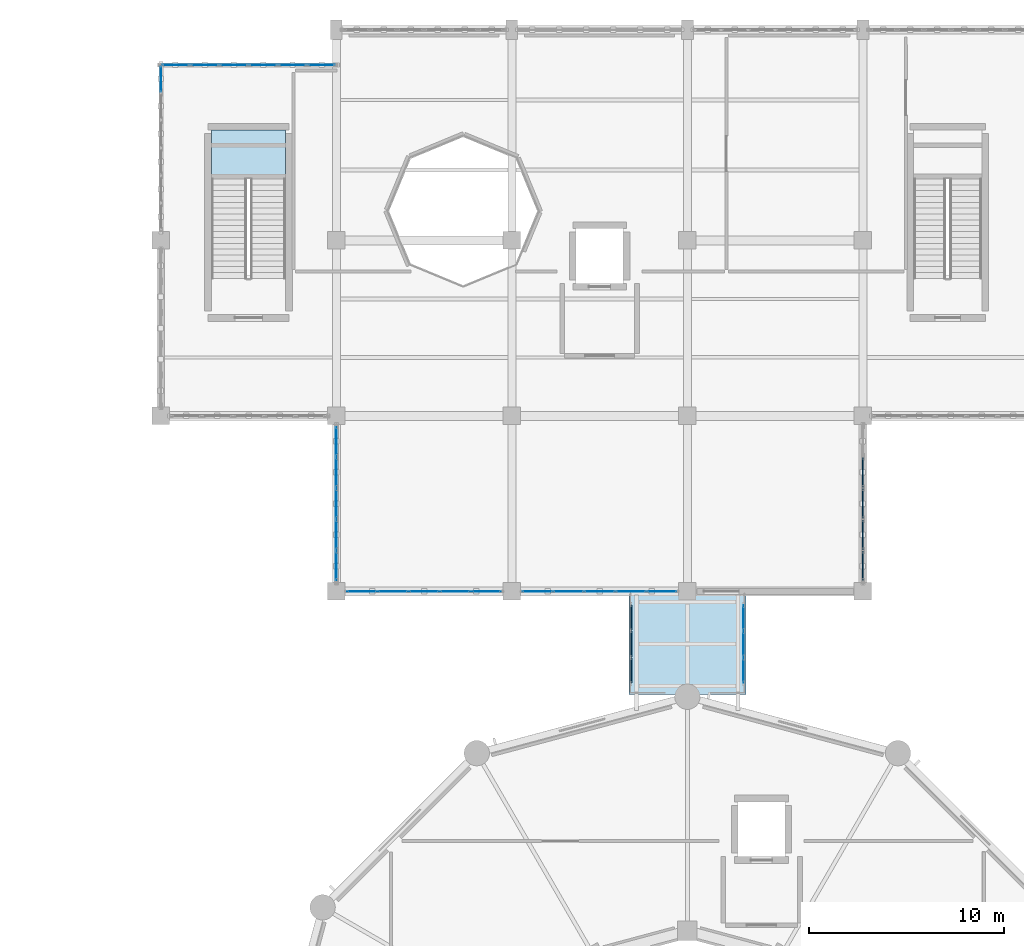
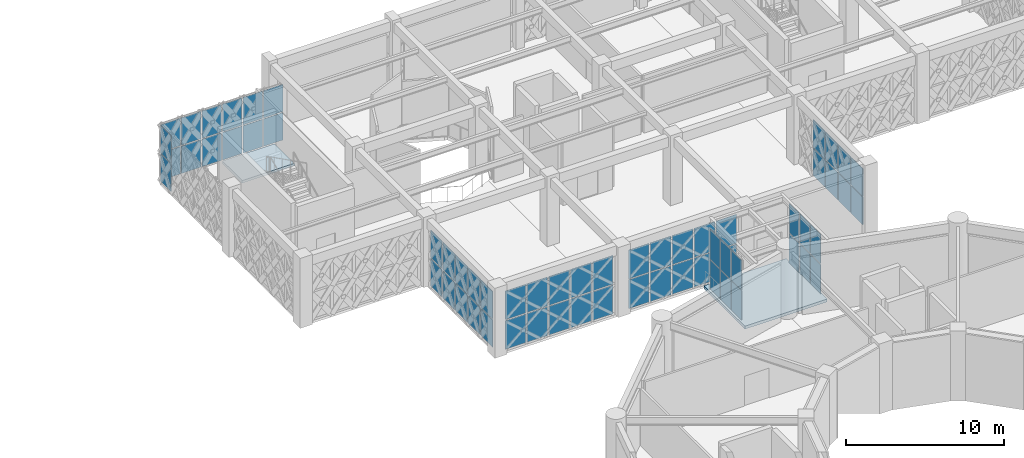
# One storey, part 124 of 155: 64 plates, 2 slabs, 9 elements without a shape of their own.
"""IFC4 building model written with IfcOpenShell, lengths in metres."""

import ifcopenshell
import ifcopenshell.guid

model = None  # the IFC model being written
_history = None  # IfcOwnerHistory: only IFC2X3 demands one
_inside = {}  # id of a spatial element -> (the spatial element, [elements in it])
_under = {}  # id of a project, library or spatial element -> (it, [spatial elements below it])
_declared = {}  # id of a project -> (the project, [libraries it declares])
_typed = {}  # id of a type object -> (the type object, [elements of that type])
_made_of = {}  # id of a material, layer set ... -> (it, [elements and type objects made of it])


def new_model(schema):
    """Start an empty IFC model of exactly this schema.

    Asked for "IFC4X3", IfcOpenShell would pick the latest addendum, in which some entities
    have other attributes; the version numbers below select the first issue.
    IFC2X3 requires an IfcOwnerHistory on every rooted entity: one is made here for all.
    """
    global model, _history
    if schema == "IFC4X3":
        model = ifcopenshell.file(schema_version=(4, 3, 0, 0))
    else:
        model = ifcopenshell.file(schema=schema)
    _inside.clear()
    _under.clear()
    _declared.clear()
    _typed.clear()
    _made_of.clear()
    _history = None
    if model.schema == "IFC2X3":
        org = make("IfcOrganization", Name="unknown")
        user = make(
            "IfcPersonAndOrganization",
            ThePerson=make("IfcPerson", FamilyName="unknown"),
            TheOrganization=org,
        )
        app = make(
            "IfcApplication",
            ApplicationDeveloper=org,
            Version="unknown",
            ApplicationFullName="unknown",
            ApplicationIdentifier="unknown",
        )
        _history = make(
            "IfcOwnerHistory",
            OwningUser=user,
            OwningApplication=app,
            ChangeAction="ADDED",
            CreationDate=0,
        )
    return model


def make(cls, **values):
    """One entity of the class cls with the attributes given. An attribute that is None is left unset."""
    return model.create_entity(
        cls, **{name: value for name, value in values.items() if value is not None}
    )


def rooted(cls, **values):
    """An entity with a GlobalId (a new one), such as an element, a storey or a relation."""
    return make(cls, GlobalId=ifcopenshell.guid.new(), OwnerHistory=_history, **values)


def si_unit(unit_type, name, prefix=None):
    """IfcSIUnit, for example si_unit("LENGTHUNIT", "METRE", prefix="MILLI")."""
    return make("IfcSIUnit", UnitType=unit_type, Prefix=prefix, Name=name)


def assignment(units):
    """IfcUnitAssignment: the units of a project."""
    return None if units is None else make("IfcUnitAssignment", Units=units)


def point(xyz):
    """IfcCartesianPoint."""
    return None if xyz is None else make("IfcCartesianPoint", Coordinates=xyz)


def direction(xyz):
    """IfcDirection."""
    return None if xyz is None else make("IfcDirection", DirectionRatios=xyz)


def frame(location, z_axis=None, x_axis=None):
    """IfcAxis2Placement3D, a coordinate frame: its origin and axes. An axis left out is left unset."""
    return make(
        "IfcAxis2Placement3D",
        Location=point(location),
        Axis=direction(z_axis),
        RefDirection=direction(x_axis),
    )


def frame_2d(location, x_axis=None):
    """IfcAxis2Placement2D, a coordinate frame in the plane: its origin and x axis."""
    return make(
        "IfcAxis2Placement2D", Location=point(location), RefDirection=direction(x_axis)
    )


def origin():
    """The frame at (0, 0, 0) with its axes left unset."""
    return frame((0.0, 0.0, 0.0))


def origin_2d():
    """The frame at (0, 0) in the plane with its x axis left unset."""
    return frame_2d((0.0, 0.0))


def place(relative_to, where):
    """IfcLocalPlacement: puts the frame where relative to a parent placement (None: the world)."""
    return make(
        "IfcLocalPlacement", PlacementRelTo=relative_to, RelativePlacement=where
    )


def context(
    kind, dimensions, precision=None, world=None, true_north=None, identifier=None
):
    """IfcGeometricRepresentationContext, for example the 3D "Model" context."""
    return make(
        "IfcGeometricRepresentationContext",
        ContextIdentifier=identifier,
        ContextType=kind,
        CoordinateSpaceDimension=dimensions,
        Precision=precision,
        WorldCoordinateSystem=world,
        TrueNorth=true_north,
    )


def subcontext(parent, identifier, kind, view, scale=None):
    """IfcGeometricRepresentationSubContext, for example "Body" below "Model"."""
    return make(
        "IfcGeometricRepresentationSubContext",
        ContextIdentifier=identifier,
        ContextType=kind,
        ParentContext=parent,
        TargetScale=scale,
        TargetView=view,
    )


def project(units=None, contexts=None):
    """IfcProject with its units and contexts."""
    return rooted(
        "IfcProject",
        Name="project",
        RepresentationContexts=contexts,
        UnitsInContext=assignment(units),
    )


def spatial(cls, under=None, at=None, **own):
    """A site, building, storey or space (cls), placed at a placement, below another one or the project."""
    s = rooted(cls, ObjectPlacement=at, **own)
    if under is not None:
        _under.setdefault(under.id(), (under, []))[1].append(s)
    return s


def polyline(points):
    """IfcPolyline through the points."""
    return make("IfcPolyline", Points=[point(p) for p in points])


def profile(cls, at=None, kind="AREA", **sizes):
    """A parametric profile (cls). Its sizes go by their IFC names, for example OverallWidth=200.0."""
    return make(cls, ProfileType=kind, Position=at, **sizes)


def rectangle(**sizes):
    """IfcRectangleProfileDef."""
    return profile("IfcRectangleProfileDef", **sizes)


def outline(outer, holes=None, kind="AREA"):
    """IfcArbitraryClosedProfileDef: a profile drawn as a closed curve; with holes, ...WithVoids."""
    if holes is None:
        return make("IfcArbitraryClosedProfileDef", ProfileType=kind, OuterCurve=outer)
    return make(
        "IfcArbitraryProfileDefWithVoids",
        ProfileType=kind,
        OuterCurve=outer,
        InnerCurves=holes,
    )


def extrude(swept, where, along, depth):
    """IfcExtrudedAreaSolid: the profile swept, set in the frame where, extruded along a direction by depth."""
    return make(
        "IfcExtrudedAreaSolid",
        SweptArea=swept,
        Position=where,
        ExtrudedDirection=direction(along),
        Depth=depth,
    )


def shape(context_of_items, identifier, shape_type, items):
    """IfcShapeRepresentation: the items that make up one representation, for example the "Body"."""
    return make(
        "IfcShapeRepresentation",
        ContextOfItems=context_of_items,
        RepresentationIdentifier=identifier,
        RepresentationType=shape_type,
        Items=items,
    )


def material(Name=None, Category=None):
    """IfcMaterial."""
    return make("IfcMaterial", Name=Name, Category=Category)


def layer(
    of_material, thickness, ventilated=None, Name=None, Category=None, Priority=None
):
    """IfcMaterialLayer: one layer of a wall or slab, of a material (None: an air gap)."""
    return make(
        "IfcMaterialLayer",
        Material=of_material,
        LayerThickness=thickness,
        IsVentilated=ventilated,
        Name=Name,
        Category=Category,
        Priority=Priority,
    )


def layer_set(layers, Name=None):
    """IfcMaterialLayerSet."""
    return make("IfcMaterialLayerSet", MaterialLayers=layers, LayerSetName=Name)


def made_of(thing, what):
    """Note that an element or type object is made of a material, layer set ...; save() writes the relation."""
    if what is not None:
        _made_of.setdefault(what.id(), (what, []))[1].append(thing)
    return thing


def type_object(cls, material=None, **own):
    """A type object (cls), such as IfcWallType, which elements share."""
    return made_of(rooted(cls, **own), material)


def element(
    cls,
    number,
    at=None,
    inside=None,
    cuts=None,
    type_object=None,
    material=None,
    context=None,
    identifier="Body",
    shape_type=None,
    held_by="IfcProductDefinitionShape",
    body=None,
    shapes=None,
    **own,
):
    """One element of the class cls, such as IfcWall. Its Tag is "e" and its number.

    at: its placement. inside: the storey or other place that contains it. cuts: it is an
    opening in that element (IfcRelVoidsElement). A single representation is given by context,
    identifier, shape_type and body (its items); several are given by shapes. held_by: the class
    of the entity that holds the representations. save() writes the other relations.
    """
    e = rooted(cls, Tag="e%d" % number, ObjectPlacement=at, **own)
    if body is not None:
        shapes = [shape(context, identifier, shape_type, body)]
    if shapes is not None:
        e.Representation = make(held_by, Representations=shapes)
    if inside is not None:
        _inside.setdefault(inside.id(), (inside, []))[1].append(e)
    if cuts is not None:
        rooted(
            "IfcRelVoidsElement", RelatingBuildingElement=cuts, RelatedOpeningElement=e
        )
    if type_object is not None:
        _typed.setdefault(type_object.id(), (type_object, []))[1].append(e)
    return made_of(e, material)


def aggregate(whole, parts):
    """IfcRelAggregates: a whole, such as a stair, and the parts it consists of."""
    return rooted("IfcRelAggregates", RelatingObject=whole, RelatedObjects=parts)


def save(model, path):
    """Write the relations noted so far, then the file.

    IfcRelAggregates (storeys below a building ...), IfcRelContainedInSpatialStructure (elements
    in a storey), IfcRelDefinesByType, IfcRelAssociatesMaterial and IfcRelDeclares: one each for
    every whole, place, type object, material and project.
    """
    for whole, parts in _under.values():
        aggregate(whole, parts)
    for where, things in _inside.values():
        rooted(
            "IfcRelContainedInSpatialStructure",
            RelatedElements=things,
            RelatingStructure=where,
        )
    for kind, things in _typed.values():
        rooted("IfcRelDefinesByType", RelatedObjects=things, RelatingType=kind)
    for what, things in _made_of.values():
        rooted("IfcRelAssociatesMaterial", RelatedObjects=things, RelatingMaterial=what)
    for by, libraries in _declared.values():
        rooted("IfcRelDeclares", RelatingContext=by, RelatedDefinitions=libraries)
    model.write(path)


model = new_model("IFC4")

# Units and contexts
model_context = context("Model", 3, precision=1e-05, world=origin(), true_north=direction((0.0, 1.0)))
body_context = subcontext(model_context, "Body", "Model", "MODEL_VIEW")
ifc_project = project(units=[si_unit("LENGTHUNIT", "METRE"), si_unit("AREAUNIT", "SQUARE_METRE"), si_unit("VOLUMEUNIT", "CUBIC_METRE"), si_unit("PLANEANGLEUNIT", "RADIAN"), si_unit("MASSUNIT", "GRAM", prefix="KILO")], contexts=[model_context])

# Site, building, storey
site_placement = place(None, origin())
site = spatial("IfcSite", under=ifc_project, at=site_placement, CompositionType="ELEMENT")
building_placement = place(site_placement, origin())
building = spatial("IfcBuilding", under=site, at=building_placement, Name="Haizhuo Lancet Aquarium", CompositionType="ELEMENT")
storey_placement = place(building_placement, frame((0.0, 0.0, 10.800048828125)))
storey = spatial("IfcBuildingStorey", under=building, at=storey_placement, Name="L02", CompositionType="ELEMENT", Elevation=10.800048828125)

# Curtain wall, plates
ifc_material_1 = material(Name="Aluminium 6063-T6", Category="aluminium")
curtain_wall_type_1 = type_object("IfcCurtainWallType", Name="CWD-8510x4440", PredefinedType="NOTDEFINED", material=ifc_material_1)
curtain_wall_1_placement = place(storey_placement, origin())
curtain_wall_1 = element("IfcCurtainWall", 1, at=curtain_wall_1_placement, inside=storey, type_object=curtain_wall_type_1, Name="L02 curtain wall CW-V5-L02-145", PredefinedType="NOTDEFINED")
ifc_material_2 = material(Name="Laminated Low-E Glass", Category="glass")
ifc_layer_1 = layer(ifc_material_2, 0.028076171875)
ifc_layer_set_1 = layer_set([ifc_layer_1], Name="Laminated Low-E Glass")
plate_type_1 = type_object("IfcPlateType", Name="CW-PNL-1", PredefinedType="CURTAIN_PANEL", material=ifc_layer_set_1)
plate_1_placement = place(storey_placement, frame((-27.0, 53.27490234375, 0.0654296875), z_axis=(0.0, 0.0, 1.0), x_axis=(0.0, 1.0, 0.0)))
plate_1 = element("IfcPlate", 2, at=plate_1_placement, type_object=plate_type_1, Name="CWD-85x44 panel 6.1", PredefinedType="CURTAIN_PANEL", context=body_context, shape_type="SweptSolid", body=[
    extrude(rectangle(XDim=1.320068359375, YDim=0.028076171875, at=origin_2d()), origin(), (0.0, 0.0, 1.0), 2.125),
])
plate_2_placement = place(storey_placement, frame((-27.0, 53.27490234375, 2.255859375), z_axis=(0.0, 0.0, 1.0), x_axis=(0.0, 1.0, 0.0)))
plate_2 = element("IfcPlate", 3, at=plate_2_placement, type_object=plate_type_1, Name="CWD-85x44 panel 6.2", PredefinedType="CURTAIN_PANEL", context=body_context, shape_type="SweptSolid", body=[
    extrude(rectangle(XDim=1.320068359375, YDim=0.028076171875, at=origin_2d()), origin(), (0.0, 0.0, 1.0), 2.1240234375),
])
aggregate(curtain_wall_1, [plate_1, plate_2])

curtain_wall_type_2 = type_object("IfcCurtainWallType", Name="CWO-8010x4650", PredefinedType="NOTDEFINED", material=ifc_material_1)
curtain_wall_2_placement = place(storey_placement, origin())
curtain_wall_2 = element("IfcCurtainWall", 4, at=curtain_wall_2_placement, inside=storey, type_object=curtain_wall_type_2, Name="L02 curtain wall CW-V5-L02-157", PredefinedType="NOTDEFINED")
plate_3_placement = place(storey_placement, frame((-1.31201171875, 27.0, 0.0654296875), z_axis=(0.0, 0.0, 1.0), x_axis=(-1.0, 0.0, 0.0)))
plate_3 = element("IfcPlate", 5, at=plate_3_placement, type_object=plate_type_1, Name="CWO-80x46 panel 1.1", PredefinedType="CURTAIN_PANEL", context=body_context, shape_type="SweptSolid", body=[
    extrude(rectangle(XDim=1.5048828125, YDim=0.028076171875, at=origin_2d()), origin(), (0.0, 0.0, 1.0), 2.22705078125),
])
plate_4_placement = place(storey_placement, frame((-1.31201171875, 27.0, 2.357421875), z_axis=(0.0, 0.0, 1.0), x_axis=(-1.0, 0.0, 0.0)))
plate_4 = element("IfcPlate", 6, at=plate_4_placement, type_object=plate_type_1, Name="CWO-80x46 panel 1.2", PredefinedType="CURTAIN_PANEL", context=body_context, shape_type="SweptSolid", body=[
    extrude(rectangle(XDim=1.5048828125, YDim=0.028076171875, at=origin_2d()), origin(), (0.0, 0.0, 1.0), 2.22705078125),
])
plate_5_placement = place(storey_placement, frame((-2.89794921875, 27.0, 0.0654296875), z_axis=(0.0, 0.0, 1.0), x_axis=(-1.0, 0.0, 0.0)))
plate_5 = element("IfcPlate", 7, at=plate_5_placement, type_object=plate_type_1, Name="CWO-80x46 panel 2.1", PredefinedType="CURTAIN_PANEL", context=body_context, shape_type="SweptSolid", body=[
    extrude(rectangle(XDim=1.537109375, YDim=0.028076171875, at=origin_2d()), origin(), (0.0, 0.0, 1.0), 2.22705078125),
])
plate_6_placement = place(storey_placement, frame((-2.89794921875, 27.0, 2.357421875), z_axis=(0.0, 0.0, 1.0), x_axis=(-1.0, 0.0, 0.0)))
plate_6 = element("IfcPlate", 8, at=plate_6_placement, type_object=plate_type_1, Name="CWO-80x46 panel 2.2", PredefinedType="CURTAIN_PANEL", context=body_context, shape_type="SweptSolid", body=[
    extrude(rectangle(XDim=1.537109375, YDim=0.028076171875, at=origin_2d()), origin(), (0.0, 0.0, 1.0), 2.22705078125),
])
plate_7_placement = place(storey_placement, frame((-4.5, 27.0, 0.0654296875), z_axis=(0.0, 0.0, 1.0), x_axis=(-1.0, 0.0, 0.0)))
plate_7 = element("IfcPlate", 9, at=plate_7_placement, type_object=plate_type_1, Name="CWO-80x46 panel 3.1", PredefinedType="CURTAIN_PANEL", context=body_context, shape_type="SweptSolid", body=[
    extrude(rectangle(XDim=1.537109375, YDim=0.028076171875, at=origin_2d()), origin(), (0.0, 0.0, 1.0), 2.22705078125),
])
plate_8_placement = place(storey_placement, frame((-4.5, 27.0, 2.357421875), z_axis=(0.0, 0.0, 1.0), x_axis=(-1.0, 0.0, 0.0)))
plate_8 = element("IfcPlate", 10, at=plate_8_placement, type_object=plate_type_1, Name="CWO-80x46 panel 3.2", PredefinedType="CURTAIN_PANEL", context=body_context, shape_type="SweptSolid", body=[
    extrude(rectangle(XDim=1.537109375, YDim=0.028076171875, at=origin_2d()), origin(), (0.0, 0.0, 1.0), 2.22705078125),
])
plate_9_placement = place(storey_placement, frame((-6.10205078125, 27.0, 0.0654296875), z_axis=(0.0, 0.0, 1.0), x_axis=(-1.0, 0.0, 0.0)))
plate_9 = element("IfcPlate", 11, at=plate_9_placement, type_object=plate_type_1, Name="CWO-80x46 panel 4.1", PredefinedType="CURTAIN_PANEL", context=body_context, shape_type="SweptSolid", body=[
    extrude(rectangle(XDim=1.537109375, YDim=0.028076171875, at=origin_2d()), origin(), (0.0, 0.0, 1.0), 2.22705078125),
])
plate_10_placement = place(storey_placement, frame((-6.10205078125, 27.0, 2.357421875), z_axis=(0.0, 0.0, 1.0), x_axis=(-1.0, 0.0, 0.0)))
plate_10 = element("IfcPlate", 12, at=plate_10_placement, type_object=plate_type_1, Name="CWO-80x46 panel 4.2", PredefinedType="CURTAIN_PANEL", context=body_context, shape_type="SweptSolid", body=[
    extrude(rectangle(XDim=1.537109375, YDim=0.028076171875, at=origin_2d()), origin(), (0.0, 0.0, 1.0), 2.22705078125),
])
plate_11_placement = place(storey_placement, frame((-7.68798828125, 27.0, 0.0654296875), z_axis=(0.0, 0.0, 1.0), x_axis=(-1.0, 0.0, 0.0)))
plate_11 = element("IfcPlate", 13, at=plate_11_placement, type_object=plate_type_1, Name="CWO-80x46 panel 5.1", PredefinedType="CURTAIN_PANEL", context=body_context, shape_type="SweptSolid", body=[
    extrude(rectangle(XDim=1.5048828125, YDim=0.028076171875, at=origin_2d()), origin(), (0.0, 0.0, 1.0), 2.22705078125),
])
plate_12_placement = place(storey_placement, frame((-7.68798828125, 27.0, 2.357421875), z_axis=(0.0, 0.0, 1.0), x_axis=(-1.0, 0.0, 0.0)))
plate_12 = element("IfcPlate", 14, at=plate_12_placement, type_object=plate_type_1, Name="CWO-80x46 panel 5.2", PredefinedType="CURTAIN_PANEL", context=body_context, shape_type="SweptSolid", body=[
    extrude(rectangle(XDim=1.5048828125, YDim=0.028076171875, at=origin_2d()), origin(), (0.0, 0.0, 1.0), 2.22705078125),
])
aggregate(curtain_wall_2, [plate_3, plate_4, plate_5, plate_6, plate_7, plate_8, plate_9, plate_10, plate_11, plate_12])

curtain_wall_type_3 = type_object("IfcCurtainWallType", Name="CWO-4120x4750", PredefinedType="NOTDEFINED", material=ifc_material_1)
curtain_wall_3_placement = place(storey_placement, origin())
curtain_wall_3 = element("IfcCurtainWall", 15, at=curtain_wall_3_placement, inside=storey, type_object=curtain_wall_type_3, Name="L02 curtain wall CW-SB-03-E1", PredefinedType="NOTDEFINED")
plate_13_placement = place(storey_placement, frame((2.8798828125, 25.653076171875, 0.08056640625), z_axis=(0.0, 0.0, 1.0), x_axis=(0.0, -1.0, 0.0)))
plate_13 = element("IfcPlate", 16, at=plate_13_placement, type_object=plate_type_1, Name="CWO-41x47 panel 1.1", PredefinedType="CURTAIN_PANEL", context=body_context, shape_type="SweptSolid", body=[
    extrude(rectangle(XDim=1.2529296875, YDim=0.028076171875, at=origin_2d()), origin(), (0.0, 0.0, 1.0), 2.2548828125),
])
plate_14_placement = place(storey_placement, frame((2.8798828125, 25.653076171875, 2.41552734375), z_axis=(0.0, 0.0, 1.0), x_axis=(0.0, -1.0, 0.0)))
plate_14 = element("IfcPlate", 17, at=plate_14_placement, type_object=plate_type_1, Name="CWO-41x47 panel 1.2", PredefinedType="CURTAIN_PANEL", context=body_context, shape_type="SweptSolid", body=[
    extrude(rectangle(XDim=1.2529296875, YDim=0.028076171875, at=origin_2d()), origin(), (0.0, 0.0, 1.0), 2.2548828125),
])
plate_15_placement = place(storey_placement, frame((2.8798828125, 24.300048828125, 0.08056640625), z_axis=(0.0, 0.0, 1.0), x_axis=(0.0, -1.0, 0.0)))
plate_15 = element("IfcPlate", 18, at=plate_15_placement, type_object=plate_type_1, Name="CWO-41x47 panel 2.1", PredefinedType="CURTAIN_PANEL", context=body_context, shape_type="SweptSolid", body=[
    extrude(rectangle(XDim=1.29296875, YDim=0.028076171875, at=origin_2d()), origin(), (0.0, 0.0, 1.0), 2.2548828125),
])
plate_16_placement = place(storey_placement, frame((2.8798828125, 24.300048828125, 2.41552734375), z_axis=(0.0, 0.0, 1.0), x_axis=(0.0, -1.0, 0.0)))
plate_16 = element("IfcPlate", 19, at=plate_16_placement, type_object=plate_type_1, Name="CWO-41x47 panel 2.2", PredefinedType="CURTAIN_PANEL", context=body_context, shape_type="SweptSolid", body=[
    extrude(rectangle(XDim=1.29296875, YDim=0.028076171875, at=origin_2d()), origin(), (0.0, 0.0, 1.0), 2.2548828125),
])
plate_17_placement = place(storey_placement, frame((2.8798828125, 22.947021484375, 0.08056640625), z_axis=(0.0, 0.0, 1.0), x_axis=(0.0, -1.0, 0.0)))
plate_17 = element("IfcPlate", 20, at=plate_17_placement, type_object=plate_type_1, Name="CWO-41x47 panel 3.1", PredefinedType="CURTAIN_PANEL", context=body_context, shape_type="SweptSolid", body=[
    extrude(rectangle(XDim=1.2529296875, YDim=0.028076171875, at=origin_2d()), origin(), (0.0, 0.0, 1.0), 2.2548828125),
])
plate_18_placement = place(storey_placement, frame((2.8798828125, 22.947021484375, 2.41552734375), z_axis=(0.0, 0.0, 1.0), x_axis=(0.0, -1.0, 0.0)))
plate_18 = element("IfcPlate", 21, at=plate_18_placement, type_object=plate_type_1, Name="CWO-41x47 panel 3.2", PredefinedType="CURTAIN_PANEL", context=body_context, shape_type="SweptSolid", body=[
    extrude(rectangle(XDim=1.2529296875, YDim=0.028076171875, at=origin_2d()), origin(), (0.0, 0.0, 1.0), 2.2548828125),
])
aggregate(curtain_wall_3, [plate_13, plate_14, plate_15, plate_16, plate_17, plate_18])

curtain_wall_type_4 = type_object("IfcCurtainWallType", Name="CWD-9000x4440", PredefinedType="NOTDEFINED", material=ifc_material_1)
curtain_wall_4_placement = place(storey_placement, origin())
curtain_wall_4 = element("IfcCurtainWall", 22, at=curtain_wall_4_placement, inside=storey, type_object=curtain_wall_type_4, Name="L02 curtain wall CW-V5-L02-146", PredefinedType="NOTDEFINED")
ifc_layer_2 = layer(ifc_material_2, 0.033935546875)
ifc_layer_set_2 = layer_set([ifc_layer_2], Name="Laminated Low-E Glass")
plate_type_2 = type_object("IfcPlateType", Name="CW-PNL-2", PredefinedType="CURTAIN_PANEL", material=ifc_layer_set_2)
plate_19_placement = place(storey_placement, frame((-26.23095703125, 54.0, 0.07421875), z_axis=(0.0, 0.0, 1.0), x_axis=(1.0, 0.0, 0.0)))
plate_19 = element("IfcPlate", 23, at=plate_19_placement, type_object=plate_type_2, Name="CWD-90x44 panel 1.1", PredefinedType="CURTAIN_PANEL", context=body_context, shape_type="SweptSolid", body=[
    extrude(rectangle(XDim=1.386962890625, YDim=0.033935546875, at=origin_2d()), origin(), (0.0, 0.0, 1.0), 2.111083984375),
])
plate_20_placement = place(storey_placement, frame((-26.23095703125, 54.0, 2.259765625), z_axis=(0.0, 0.0, 1.0), x_axis=(1.0, 0.0, 0.0)))
plate_20 = element("IfcPlate", 24, at=plate_20_placement, type_object=plate_type_2, Name="CWD-90x44 panel 1.2", PredefinedType="CURTAIN_PANEL", context=body_context, shape_type="SweptSolid", body=[
    extrude(rectangle(XDim=1.386962890625, YDim=0.033935546875, at=origin_2d()), origin(), (0.0, 0.0, 1.0), 2.110107421875),
])
plate_21_placement = place(storey_placement, frame((-24.75, 54.0, 0.07421875), z_axis=(0.0, 0.0, 1.0), x_axis=(1.0, 0.0, 0.0)))
plate_21 = element("IfcPlate", 25, at=plate_21_placement, type_object=plate_type_2, Name="CWD-90x44 panel 2.1", PredefinedType="CURTAIN_PANEL", context=body_context, shape_type="SweptSolid", body=[
    extrude(rectangle(XDim=1.425048828125, YDim=0.033935546875, at=origin_2d()), origin(), (0.0, 0.0, 1.0), 2.111083984375),
])
plate_22_placement = place(storey_placement, frame((-24.75, 54.0, 2.259765625), z_axis=(0.0, 0.0, 1.0), x_axis=(1.0, 0.0, 0.0)))
plate_22 = element("IfcPlate", 26, at=plate_22_placement, type_object=plate_type_2, Name="CWD-90x44 panel 2.2", PredefinedType="CURTAIN_PANEL", context=body_context, shape_type="SweptSolid", body=[
    extrude(rectangle(XDim=1.425048828125, YDim=0.033935546875, at=origin_2d()), origin(), (0.0, 0.0, 1.0), 2.110107421875),
])
plate_23_placement = place(storey_placement, frame((-23.25, 54.0, 0.07421875), z_axis=(0.0, 0.0, 1.0), x_axis=(1.0, 0.0, 0.0)))
plate_23 = element("IfcPlate", 27, at=plate_23_placement, type_object=plate_type_2, Name="CWD-90x44 panel 3.1", PredefinedType="CURTAIN_PANEL", context=body_context, shape_type="SweptSolid", body=[
    extrude(rectangle(XDim=1.425048828125, YDim=0.033935546875, at=origin_2d()), origin(), (0.0, 0.0, 1.0), 2.111083984375),
])
plate_24_placement = place(storey_placement, frame((-23.25, 54.0, 2.259765625), z_axis=(0.0, 0.0, 1.0), x_axis=(1.0, 0.0, 0.0)))
plate_24 = element("IfcPlate", 28, at=plate_24_placement, type_object=plate_type_2, Name="CWD-90x44 panel 3.2", PredefinedType="CURTAIN_PANEL", context=body_context, shape_type="SweptSolid", body=[
    extrude(rectangle(XDim=1.425048828125, YDim=0.033935546875, at=origin_2d()), origin(), (0.0, 0.0, 1.0), 2.110107421875),
])
plate_25_placement = place(storey_placement, frame((-21.75, 54.0, 0.07421875), z_axis=(0.0, 0.0, 1.0), x_axis=(1.0, 0.0, 0.0)))
plate_25 = element("IfcPlate", 29, at=plate_25_placement, type_object=plate_type_2, Name="CWD-90x44 panel 4.1", PredefinedType="CURTAIN_PANEL", context=body_context, shape_type="SweptSolid", body=[
    extrude(rectangle(XDim=1.425048828125, YDim=0.033935546875, at=origin_2d()), origin(), (0.0, 0.0, 1.0), 2.111083984375),
])
plate_26_placement = place(storey_placement, frame((-21.75, 54.0, 2.259765625), z_axis=(0.0, 0.0, 1.0), x_axis=(1.0, 0.0, 0.0)))
plate_26 = element("IfcPlate", 30, at=plate_26_placement, type_object=plate_type_2, Name="CWD-90x44 panel 4.2", PredefinedType="CURTAIN_PANEL", context=body_context, shape_type="SweptSolid", body=[
    extrude(rectangle(XDim=1.425048828125, YDim=0.033935546875, at=origin_2d()), origin(), (0.0, 0.0, 1.0), 2.110107421875),
])
plate_27_placement = place(storey_placement, frame((-20.25, 54.0, 0.07421875), z_axis=(0.0, 0.0, 1.0), x_axis=(1.0, 0.0, 0.0)))
plate_27 = element("IfcPlate", 31, at=plate_27_placement, type_object=plate_type_2, Name="CWD-90x44 panel 5.1", PredefinedType="CURTAIN_PANEL", context=body_context, shape_type="SweptSolid", body=[
    extrude(rectangle(XDim=1.425048828125, YDim=0.033935546875, at=origin_2d()), origin(), (0.0, 0.0, 1.0), 2.111083984375),
])
plate_28_placement = place(storey_placement, frame((-20.25, 54.0, 2.259765625), z_axis=(0.0, 0.0, 1.0), x_axis=(1.0, 0.0, 0.0)))
plate_28 = element("IfcPlate", 32, at=plate_28_placement, type_object=plate_type_2, Name="CWD-90x44 panel 5.2", PredefinedType="CURTAIN_PANEL", context=body_context, shape_type="SweptSolid", body=[
    extrude(rectangle(XDim=1.425048828125, YDim=0.033935546875, at=origin_2d()), origin(), (0.0, 0.0, 1.0), 2.110107421875),
])
plate_29_placement = place(storey_placement, frame((-18.76904296875, 54.0, 0.07421875), z_axis=(0.0, 0.0, 1.0), x_axis=(1.0, 0.0, 0.0)))
plate_29 = element("IfcPlate", 33, at=plate_29_placement, type_object=plate_type_2, Name="CWD-90x44 panel 6.1", PredefinedType="CURTAIN_PANEL", context=body_context, shape_type="SweptSolid", body=[
    extrude(rectangle(XDim=1.387939453125, YDim=0.033935546875, at=origin_2d()), origin(), (0.0, 0.0, 1.0), 2.111083984375),
])
plate_30_placement = place(storey_placement, frame((-18.76904296875, 54.0, 2.259765625), z_axis=(0.0, 0.0, 1.0), x_axis=(1.0, 0.0, 0.0)))
plate_30 = element("IfcPlate", 34, at=plate_30_placement, type_object=plate_type_2, Name="CWD-90x44 panel 6.2", PredefinedType="CURTAIN_PANEL", context=body_context, shape_type="SweptSolid", body=[
    extrude(rectangle(XDim=1.387939453125, YDim=0.033935546875, at=origin_2d()), origin(), (0.0, 0.0, 1.0), 2.110107421875),
])
aggregate(curtain_wall_4, [plate_19, plate_20, plate_21, plate_22, plate_23, plate_24, plate_25, plate_26, plate_27, plate_28, plate_29, plate_30])

curtain_wall_5_placement = place(storey_placement, origin())
curtain_wall_5 = element("IfcCurtainWall", 35, at=curtain_wall_5_placement, inside=storey, type_object=curtain_wall_type_2, Name="L02 curtain wall CW-V5-L02-158", PredefinedType="NOTDEFINED")
plate_31_placement = place(storey_placement, frame((-10.31494140625, 27.0, 0.074462890625), z_axis=(0.0, 0.0, 1.0), x_axis=(-1.0, 0.0, 0.0)))
plate_31 = element("IfcPlate", 36, at=plate_31_placement, type_object=plate_type_2, Name="CWO-80x46 panel 1.1", PredefinedType="CURTAIN_PANEL", context=body_context, shape_type="SweptSolid", body=[
    extrude(rectangle(XDim=1.489013671875, YDim=0.033935546875, at=origin_2d()), origin(), (0.0, 0.0, 1.0), 2.212890625),
])
plate_32_placement = place(storey_placement, frame((-10.31494140625, 27.0, 2.362548828125), z_axis=(0.0, 0.0, 1.0), x_axis=(-1.0, 0.0, 0.0)))
plate_32 = element("IfcPlate", 37, at=plate_32_placement, type_object=plate_type_2, Name="CWO-80x46 panel 1.2", PredefinedType="CURTAIN_PANEL", context=body_context, shape_type="SweptSolid", body=[
    extrude(rectangle(XDim=1.489013671875, YDim=0.033935546875, at=origin_2d()), origin(), (0.0, 0.0, 1.0), 2.212890625),
])
plate_33_placement = place(storey_placement, frame((-11.89794921875, 27.0, 0.074462890625), z_axis=(0.0, 0.0, 1.0), x_axis=(-1.0, 0.0, 0.0)))
plate_33 = element("IfcPlate", 38, at=plate_33_placement, type_object=plate_type_2, Name="CWO-80x46 panel 2.1", PredefinedType="CURTAIN_PANEL", context=body_context, shape_type="SweptSolid", body=[
    extrude(rectangle(XDim=1.527099609375, YDim=0.033935546875, at=origin_2d()), origin(), (0.0, 0.0, 1.0), 2.212890625),
])
plate_34_placement = place(storey_placement, frame((-11.89794921875, 27.0, 2.362548828125), z_axis=(0.0, 0.0, 1.0), x_axis=(-1.0, 0.0, 0.0)))
plate_34 = element("IfcPlate", 39, at=plate_34_placement, type_object=plate_type_2, Name="CWO-80x46 panel 2.2", PredefinedType="CURTAIN_PANEL", context=body_context, shape_type="SweptSolid", body=[
    extrude(rectangle(XDim=1.527099609375, YDim=0.033935546875, at=origin_2d()), origin(), (0.0, 0.0, 1.0), 2.212890625),
])
plate_35_placement = place(storey_placement, frame((-13.5, 27.0, 0.074462890625), z_axis=(0.0, 0.0, 1.0), x_axis=(-1.0, 0.0, 0.0)))
plate_35 = element("IfcPlate", 40, at=plate_35_placement, type_object=plate_type_2, Name="CWO-80x46 panel 3.1", PredefinedType="CURTAIN_PANEL", context=body_context, shape_type="SweptSolid", body=[
    extrude(rectangle(XDim=1.527099609375, YDim=0.033935546875, at=origin_2d()), origin(), (0.0, 0.0, 1.0), 2.212890625),
])
plate_36_placement = place(storey_placement, frame((-13.5, 27.0, 2.362548828125), z_axis=(0.0, 0.0, 1.0), x_axis=(-1.0, 0.0, 0.0)))
plate_36 = element("IfcPlate", 41, at=plate_36_placement, type_object=plate_type_2, Name="CWO-80x46 panel 3.2", PredefinedType="CURTAIN_PANEL", context=body_context, shape_type="SweptSolid", body=[
    extrude(rectangle(XDim=1.527099609375, YDim=0.033935546875, at=origin_2d()), origin(), (0.0, 0.0, 1.0), 2.212890625),
])
plate_37_placement = place(storey_placement, frame((-15.10205078125, 27.0, 0.074462890625), z_axis=(0.0, 0.0, 1.0), x_axis=(-1.0, 0.0, 0.0)))
plate_37 = element("IfcPlate", 42, at=plate_37_placement, type_object=plate_type_2, Name="CWO-80x46 panel 4.1", PredefinedType="CURTAIN_PANEL", context=body_context, shape_type="SweptSolid", body=[
    extrude(rectangle(XDim=1.527099609375, YDim=0.033935546875, at=origin_2d()), origin(), (0.0, 0.0, 1.0), 2.212890625),
])
plate_38_placement = place(storey_placement, frame((-15.10205078125, 27.0, 2.362548828125), z_axis=(0.0, 0.0, 1.0), x_axis=(-1.0, 0.0, 0.0)))
plate_38 = element("IfcPlate", 43, at=plate_38_placement, type_object=plate_type_2, Name="CWO-80x46 panel 4.2", PredefinedType="CURTAIN_PANEL", context=body_context, shape_type="SweptSolid", body=[
    extrude(rectangle(XDim=1.527099609375, YDim=0.033935546875, at=origin_2d()), origin(), (0.0, 0.0, 1.0), 2.212890625),
])
plate_39_placement = place(storey_placement, frame((-16.68505859375, 27.0, 0.074462890625), z_axis=(0.0, 0.0, 1.0), x_axis=(-1.0, 0.0, 0.0)))
plate_39 = element("IfcPlate", 44, at=plate_39_placement, type_object=plate_type_2, Name="CWO-80x46 panel 5.1", PredefinedType="CURTAIN_PANEL", context=body_context, shape_type="SweptSolid", body=[
    extrude(rectangle(XDim=1.489990234375, YDim=0.033935546875, at=origin_2d()), origin(), (0.0, 0.0, 1.0), 2.212890625),
])
plate_40_placement = place(storey_placement, frame((-16.68505859375, 27.0, 2.362548828125), z_axis=(0.0, 0.0, 1.0), x_axis=(-1.0, 0.0, 0.0)))
plate_40 = element("IfcPlate", 45, at=plate_40_placement, type_object=plate_type_2, Name="CWO-80x46 panel 5.2", PredefinedType="CURTAIN_PANEL", context=body_context, shape_type="SweptSolid", body=[
    extrude(rectangle(XDim=1.489990234375, YDim=0.033935546875, at=origin_2d()), origin(), (0.0, 0.0, 1.0), 2.212890625),
])
aggregate(curtain_wall_5, [plate_31, plate_32, plate_33, plate_34, plate_35, plate_36, plate_37, plate_38, plate_39, plate_40])

curtain_wall_type_5 = type_object("IfcCurtainWallType", Name="CWD-8010x4460", PredefinedType="NOTDEFINED", material=ifc_material_1)
curtain_wall_6_placement = place(storey_placement, origin())
curtain_wall_6 = element("IfcCurtainWall", 46, at=curtain_wall_6_placement, inside=storey, type_object=curtain_wall_type_5, Name="L02 curtain wall CW-V5-L02-159", PredefinedType="NOTDEFINED")
ifc_layer_3 = layer(ifc_material_2, 0.0419921875)
ifc_layer_set_3 = layer_set([ifc_layer_3], Name="Laminated Low-E Glass")
plate_type_3 = type_object("IfcPlateType", Name="CW-PNL-3", PredefinedType="CURTAIN_PANEL", material=ifc_layer_set_3)
plate_41_placement = place(storey_placement, frame((-18.0, 28.31591796875, 0.080078125), z_axis=(0.0, 0.0, 1.0), x_axis=(0.0, 1.0, 0.0)))
plate_41 = element("IfcPlate", 47, at=plate_41_placement, type_object=plate_type_3, Name="CWD-80x44 panel 1.1", PredefinedType="CURTAIN_PANEL", context=body_context, shape_type="SweptSolid", body=[
    extrude(rectangle(XDim=1.48193359375, YDim=0.0419921875, at=origin_2d()), origin(), (0.0, 0.0, 1.0), 2.110107421875),
])
plate_42_placement = place(storey_placement, frame((-18.0, 28.31591796875, 2.27001953125), z_axis=(0.0, 0.0, 1.0), x_axis=(0.0, 1.0, 0.0)))
plate_42 = element("IfcPlate", 48, at=plate_42_placement, type_object=plate_type_3, Name="CWD-80x44 panel 1.2", PredefinedType="CURTAIN_PANEL", context=body_context, shape_type="SweptSolid", body=[
    extrude(rectangle(XDim=1.48193359375, YDim=0.0419921875, at=origin_2d()), origin(), (0.0, 0.0, 1.0), 2.110107421875),
])
plate_43_placement = place(storey_placement, frame((-18.0, 29.89794921875, 0.080078125), z_axis=(0.0, 0.0, 1.0), x_axis=(0.0, 1.0, 0.0)))
plate_43 = element("IfcPlate", 49, at=plate_43_placement, type_object=plate_type_3, Name="CWD-80x44 panel 2.1", PredefinedType="CURTAIN_PANEL", context=body_context, shape_type="SweptSolid", body=[
    extrude(rectangle(XDim=1.52197265625, YDim=0.0419921875, at=origin_2d()), origin(), (0.0, 0.0, 1.0), 2.110107421875),
])
plate_44_placement = place(storey_placement, frame((-18.0, 29.89794921875, 2.27001953125), z_axis=(0.0, 0.0, 1.0), x_axis=(0.0, 1.0, 0.0)))
plate_44 = element("IfcPlate", 50, at=plate_44_placement, type_object=plate_type_3, Name="CWD-80x44 panel 2.2", PredefinedType="CURTAIN_PANEL", context=body_context, shape_type="SweptSolid", body=[
    extrude(rectangle(XDim=1.52197265625, YDim=0.0419921875, at=origin_2d()), origin(), (0.0, 0.0, 1.0), 2.110107421875),
])
plate_45_placement = place(storey_placement, frame((-18.0, 31.5, 0.080078125), z_axis=(0.0, 0.0, 1.0), x_axis=(0.0, 1.0, 0.0)))
plate_45 = element("IfcPlate", 51, at=plate_45_placement, type_object=plate_type_3, Name="CWD-80x44 panel 3.1", PredefinedType="CURTAIN_PANEL", context=body_context, shape_type="SweptSolid", body=[
    extrude(rectangle(XDim=1.52197265625, YDim=0.0419921875, at=origin_2d()), origin(), (0.0, 0.0, 1.0), 2.110107421875),
])
plate_46_placement = place(storey_placement, frame((-18.0, 31.5, 2.27001953125), z_axis=(0.0, 0.0, 1.0), x_axis=(0.0, 1.0, 0.0)))
plate_46 = element("IfcPlate", 52, at=plate_46_placement, type_object=plate_type_3, Name="CWD-80x44 panel 3.2", PredefinedType="CURTAIN_PANEL", context=body_context, shape_type="SweptSolid", body=[
    extrude(rectangle(XDim=1.52197265625, YDim=0.0419921875, at=origin_2d()), origin(), (0.0, 0.0, 1.0), 2.110107421875),
])
plate_47_placement = place(storey_placement, frame((-18.0, 33.10205078125, 0.080078125), z_axis=(0.0, 0.0, 1.0), x_axis=(0.0, 1.0, 0.0)))
plate_47 = element("IfcPlate", 53, at=plate_47_placement, type_object=plate_type_3, Name="CWD-80x44 panel 4.1", PredefinedType="CURTAIN_PANEL", context=body_context, shape_type="SweptSolid", body=[
    extrude(rectangle(XDim=1.52197265625, YDim=0.0419921875, at=origin_2d()), origin(), (0.0, 0.0, 1.0), 2.110107421875),
])
plate_48_placement = place(storey_placement, frame((-18.0, 33.10205078125, 2.27001953125), z_axis=(0.0, 0.0, 1.0), x_axis=(0.0, 1.0, 0.0)))
plate_48 = element("IfcPlate", 54, at=plate_48_placement, type_object=plate_type_3, Name="CWD-80x44 panel 4.2", PredefinedType="CURTAIN_PANEL", context=body_context, shape_type="SweptSolid", body=[
    extrude(rectangle(XDim=1.52197265625, YDim=0.0419921875, at=origin_2d()), origin(), (0.0, 0.0, 1.0), 2.110107421875),
])
plate_49_placement = place(storey_placement, frame((-18.0, 34.68408203125, 0.080078125), z_axis=(0.0, 0.0, 1.0), x_axis=(0.0, 1.0, 0.0)))
plate_49 = element("IfcPlate", 55, at=plate_49_placement, type_object=plate_type_3, Name="CWD-80x44 panel 5.1", PredefinedType="CURTAIN_PANEL", context=body_context, shape_type="SweptSolid", body=[
    extrude(rectangle(XDim=1.48193359375, YDim=0.0419921875, at=origin_2d()), origin(), (0.0, 0.0, 1.0), 2.110107421875),
])
plate_50_placement = place(storey_placement, frame((-18.0, 34.68408203125, 2.27001953125), z_axis=(0.0, 0.0, 1.0), x_axis=(0.0, 1.0, 0.0)))
plate_50 = element("IfcPlate", 56, at=plate_50_placement, type_object=plate_type_3, Name="CWD-80x44 panel 5.2", PredefinedType="CURTAIN_PANEL", context=body_context, shape_type="SweptSolid", body=[
    extrude(rectangle(XDim=1.48193359375, YDim=0.0419921875, at=origin_2d()), origin(), (0.0, 0.0, 1.0), 2.110107421875),
])
aggregate(curtain_wall_6, [plate_41, plate_42, plate_43, plate_44, plate_45, plate_46, plate_47, plate_48, plate_49, plate_50])

curtain_wall_7_placement = place(storey_placement, origin())
curtain_wall_7 = element("IfcCurtainWall", 57, at=curtain_wall_7_placement, inside=storey, type_object=curtain_wall_type_5, Name="L02 curtain wall CW-V5-L02-156", PredefinedType="NOTDEFINED")
ifc_layer_4 = layer(ifc_material_2, 0.052001953125)
ifc_layer_set_4 = layer_set([ifc_layer_4], Name="Laminated Low-E Glass")
plate_type_4 = type_object("IfcPlateType", Name="CW-PNL-4", PredefinedType="CURTAIN_PANEL", material=ifc_layer_set_4)
plate_51_placement = place(storey_placement, frame((9.0, 33.10205078125, 0.080078125), z_axis=(0.0, 0.0, 1.0), x_axis=(0.0, -1.0, 0.0)))
plate_51 = element("IfcPlate", 58, at=plate_51_placement, type_object=plate_type_4, Name="CWD-80x44 panel 2.1", PredefinedType="CURTAIN_PANEL", context=body_context, shape_type="SweptSolid", body=[
    extrude(rectangle(XDim=1.52197265625, YDim=0.052001953125, at=origin_2d()), origin(), (0.0, 0.0, 1.0), 2.110107421875),
])
plate_52_placement = place(storey_placement, frame((9.0, 33.10205078125, 2.27001953125), z_axis=(0.0, 0.0, 1.0), x_axis=(0.0, -1.0, 0.0)))
plate_52 = element("IfcPlate", 59, at=plate_52_placement, type_object=plate_type_4, Name="CWD-80x44 panel 2.2", PredefinedType="CURTAIN_PANEL", context=body_context, shape_type="SweptSolid", body=[
    extrude(rectangle(XDim=1.52197265625, YDim=0.052001953125, at=origin_2d()), origin(), (0.0, 0.0, 1.0), 2.110107421875),
])
plate_53_placement = place(storey_placement, frame((9.0, 31.5, 0.080078125), z_axis=(0.0, 0.0, 1.0), x_axis=(0.0, -1.0, 0.0)))
plate_53 = element("IfcPlate", 60, at=plate_53_placement, type_object=plate_type_4, Name="CWD-80x44 panel 3.1", PredefinedType="CURTAIN_PANEL", context=body_context, shape_type="SweptSolid", body=[
    extrude(rectangle(XDim=1.52197265625, YDim=0.052001953125, at=origin_2d()), origin(), (0.0, 0.0, 1.0), 2.110107421875),
])
plate_54_placement = place(storey_placement, frame((9.0, 31.5, 2.27001953125), z_axis=(0.0, 0.0, 1.0), x_axis=(0.0, -1.0, 0.0)))
plate_54 = element("IfcPlate", 61, at=plate_54_placement, type_object=plate_type_4, Name="CWD-80x44 panel 3.2", PredefinedType="CURTAIN_PANEL", context=body_context, shape_type="SweptSolid", body=[
    extrude(rectangle(XDim=1.52197265625, YDim=0.052001953125, at=origin_2d()), origin(), (0.0, 0.0, 1.0), 2.110107421875),
])
plate_55_placement = place(storey_placement, frame((9.0, 29.89794921875, 0.080078125), z_axis=(0.0, 0.0, 1.0), x_axis=(0.0, -1.0, 0.0)))
plate_55 = element("IfcPlate", 62, at=plate_55_placement, type_object=plate_type_4, Name="CWD-80x44 panel 4.1", PredefinedType="CURTAIN_PANEL", context=body_context, shape_type="SweptSolid", body=[
    extrude(rectangle(XDim=1.52197265625, YDim=0.052001953125, at=origin_2d()), origin(), (0.0, 0.0, 1.0), 2.110107421875),
])
plate_56_placement = place(storey_placement, frame((9.0, 29.89794921875, 2.27001953125), z_axis=(0.0, 0.0, 1.0), x_axis=(0.0, -1.0, 0.0)))
plate_56 = element("IfcPlate", 63, at=plate_56_placement, type_object=plate_type_4, Name="CWD-80x44 panel 4.2", PredefinedType="CURTAIN_PANEL", context=body_context, shape_type="SweptSolid", body=[
    extrude(rectangle(XDim=1.52197265625, YDim=0.052001953125, at=origin_2d()), origin(), (0.0, 0.0, 1.0), 2.110107421875),
])
plate_57_placement = place(storey_placement, frame((9.0, 28.31591796875, 0.080078125), z_axis=(0.0, 0.0, 1.0), x_axis=(0.0, -1.0, 0.0)))
plate_57 = element("IfcPlate", 64, at=plate_57_placement, type_object=plate_type_4, Name="CWD-80x44 panel 5.1", PredefinedType="CURTAIN_PANEL", context=body_context, shape_type="SweptSolid", body=[
    extrude(rectangle(XDim=1.48193359375, YDim=0.052001953125, at=origin_2d()), origin(), (0.0, 0.0, 1.0), 2.110107421875),
])
plate_58_placement = place(storey_placement, frame((9.0, 28.31591796875, 2.27001953125), z_axis=(0.0, 0.0, 1.0), x_axis=(0.0, -1.0, 0.0)))
plate_58 = element("IfcPlate", 65, at=plate_58_placement, type_object=plate_type_4, Name="CWD-80x44 panel 5.2", PredefinedType="CURTAIN_PANEL", context=body_context, shape_type="SweptSolid", body=[
    extrude(rectangle(XDim=1.48193359375, YDim=0.052001953125, at=origin_2d()), origin(), (0.0, 0.0, 1.0), 2.110107421875),
])
aggregate(curtain_wall_7, [plate_51, plate_52, plate_53, plate_54, plate_55, plate_56, plate_57, plate_58])

curtain_wall_8_placement = place(storey_placement, origin())
curtain_wall_8 = element("IfcCurtainWall", 66, at=curtain_wall_8_placement, inside=storey, type_object=curtain_wall_type_3, Name="L02 curtain wall CW-SB-03-W1", PredefinedType="NOTDEFINED")
plate_59_placement = place(storey_placement, frame((-2.8798828125, 22.945068359375, 0.07470703125), z_axis=(0.0, 0.0, 1.0), x_axis=(0.0, 1.0, 0.0)))
plate_59 = element("IfcPlate", 67, at=plate_59_placement, type_object=plate_type_4, Name="CWO-41x47 panel 1.1", PredefinedType="CURTAIN_PANEL", context=body_context, shape_type="SweptSolid", body=[
    extrude(rectangle(XDim=1.260986328125, YDim=0.052001953125, at=origin_2d()), origin(), (0.0, 0.0, 1.0), 2.262939453125),
])
plate_60_placement = place(storey_placement, frame((-2.8798828125, 22.945068359375, 2.41259765625), z_axis=(0.0, 0.0, 1.0), x_axis=(0.0, 1.0, 0.0)))
plate_60 = element("IfcPlate", 68, at=plate_60_placement, type_object=plate_type_4, Name="CWO-41x47 panel 1.2", PredefinedType="CURTAIN_PANEL", context=body_context, shape_type="SweptSolid", body=[
    extrude(rectangle(XDim=1.260986328125, YDim=0.052001953125, at=origin_2d()), origin(), (0.0, 0.0, 1.0), 2.262939453125),
])
plate_61_placement = place(storey_placement, frame((-2.8798828125, 24.300048828125, 0.07470703125), z_axis=(0.0, 0.0, 1.0), x_axis=(0.0, 1.0, 0.0)))
plate_61 = element("IfcPlate", 69, at=plate_61_placement, type_object=plate_type_4, Name="CWO-41x47 panel 2.1", PredefinedType="CURTAIN_PANEL", context=body_context, shape_type="SweptSolid", body=[
    extrude(rectangle(XDim=1.298095703125, YDim=0.052001953125, at=origin_2d()), origin(), (0.0, 0.0, 1.0), 2.262939453125),
])
plate_62_placement = place(storey_placement, frame((-2.8798828125, 24.300048828125, 2.41259765625), z_axis=(0.0, 0.0, 1.0), x_axis=(0.0, 1.0, 0.0)))
plate_62 = element("IfcPlate", 70, at=plate_62_placement, type_object=plate_type_4, Name="CWO-41x47 panel 2.2", PredefinedType="CURTAIN_PANEL", context=body_context, shape_type="SweptSolid", body=[
    extrude(rectangle(XDim=1.298095703125, YDim=0.052001953125, at=origin_2d()), origin(), (0.0, 0.0, 1.0), 2.262939453125),
])
plate_63_placement = place(storey_placement, frame((-2.8798828125, 25.655029296875, 0.07470703125), z_axis=(0.0, 0.0, 1.0), x_axis=(0.0, 1.0, 0.0)))
plate_63 = element("IfcPlate", 71, at=plate_63_placement, type_object=plate_type_4, Name="CWO-41x47 panel 3.1", PredefinedType="CURTAIN_PANEL", context=body_context, shape_type="SweptSolid", body=[
    extrude(rectangle(XDim=1.260986328125, YDim=0.052001953125, at=origin_2d()), origin(), (0.0, 0.0, 1.0), 2.262939453125),
])
plate_64_placement = place(storey_placement, frame((-2.8798828125, 25.655029296875, 2.41259765625), z_axis=(0.0, 0.0, 1.0), x_axis=(0.0, 1.0, 0.0)))
plate_64 = element("IfcPlate", 72, at=plate_64_placement, type_object=plate_type_4, Name="CWO-41x47 panel 3.2", PredefinedType="CURTAIN_PANEL", context=body_context, shape_type="SweptSolid", body=[
    extrude(rectangle(XDim=1.260986328125, YDim=0.052001953125, at=origin_2d()), origin(), (0.0, 0.0, 1.0), 2.262939453125),
])
aggregate(curtain_wall_8, [plate_59, plate_60, plate_61, plate_62, plate_63, plate_64])

# Slab
ifc_material_3 = material(Name="Concrete C40/50", Category="concrete")
ifc_layer_5 = layer(ifc_material_3, 0.219970703125)
ifc_layer_set_5 = layer_set([ifc_layer_5], Name="Concrete C40/50")
slab_type_1 = type_object("IfcSlabType", Name="SLB-BRG-220", PredefinedType="FLOOR", material=ifc_layer_set_5)
slab_1_placement = place(storey_placement, frame((0.0, 0.0, -0.219970703125)))
element("IfcSlab", 73, at=slab_1_placement, inside=storey, type_object=slab_type_1, Name="L02 structural slab SL-SB-03-FL-01", PredefinedType="FLOOR", context=body_context, shape_type="SweptSolid", body=[
    extrude(outline(polyline([(-3.0, 21.719970703125), (3.0, 21.719970703125), (3.0, 26.8798828125), (-3.0, 26.8798828125), (-3.0, 21.719970703125)])), origin(), (0.0, 0.0, 1.0), 0.219970703125),
])

# Stair, slab
stair_type = type_object("IfcStairType", Name="STR-HT-1800-54", PredefinedType="HALF_TURN_STAIR", material=ifc_material_3)
stair_placement = place(storey_placement, origin())
stair = element("IfcStair", 74, at=stair_placement, inside=storey, type_object=stair_type, Name="L02 enclosed exit stair ST-07", PredefinedType="HALF_TURN_STAIR")
ifc_layer_6 = layer(ifc_material_3, 0.199951171875)
ifc_layer_set_6 = layer_set([ifc_layer_6], Name="Concrete C40/50")
slab_type_2 = type_object("IfcSlabType", Name="SLB-LND-1800", PredefinedType="LANDING", material=ifc_layer_set_6)
slab_2_placement = place(storey_placement, frame((0.0, 0.0, 2.5)))
slab_2 = element("IfcSlab", 75, at=slab_2_placement, type_object=slab_type_2, Name="ST-55 landing 1", PredefinedType="LANDING", context=body_context, shape_type="SweptSolid", body=[
    extrude(outline(polyline([(-20.60009765625, 48.14990234375), (-20.60009765625, 50.64990234375), (-24.39990234375, 50.64990234375), (-24.39990234375, 48.14990234375), (-20.60009765625, 48.14990234375)])), origin(), (0.0, 0.0, 1.0), 0.199951171875),
])
aggregate(stair, [slab_2])

save(model, "model.ifc")
